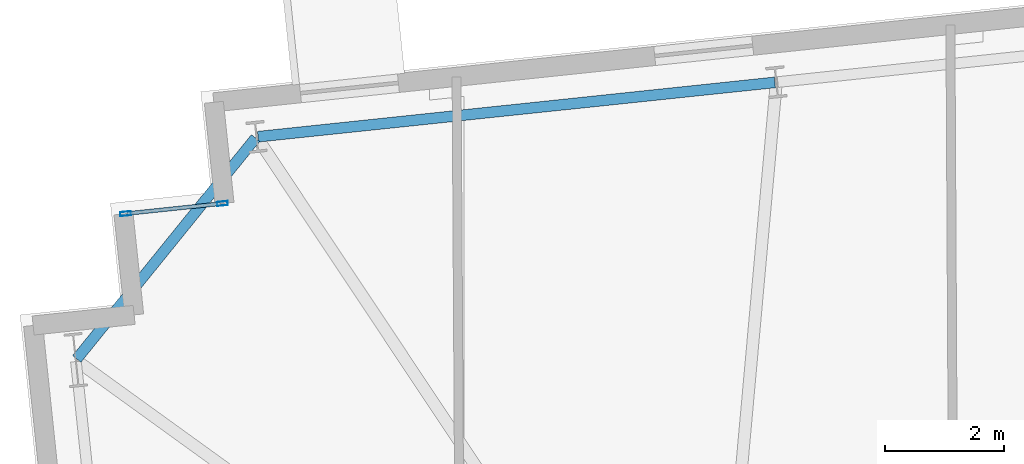
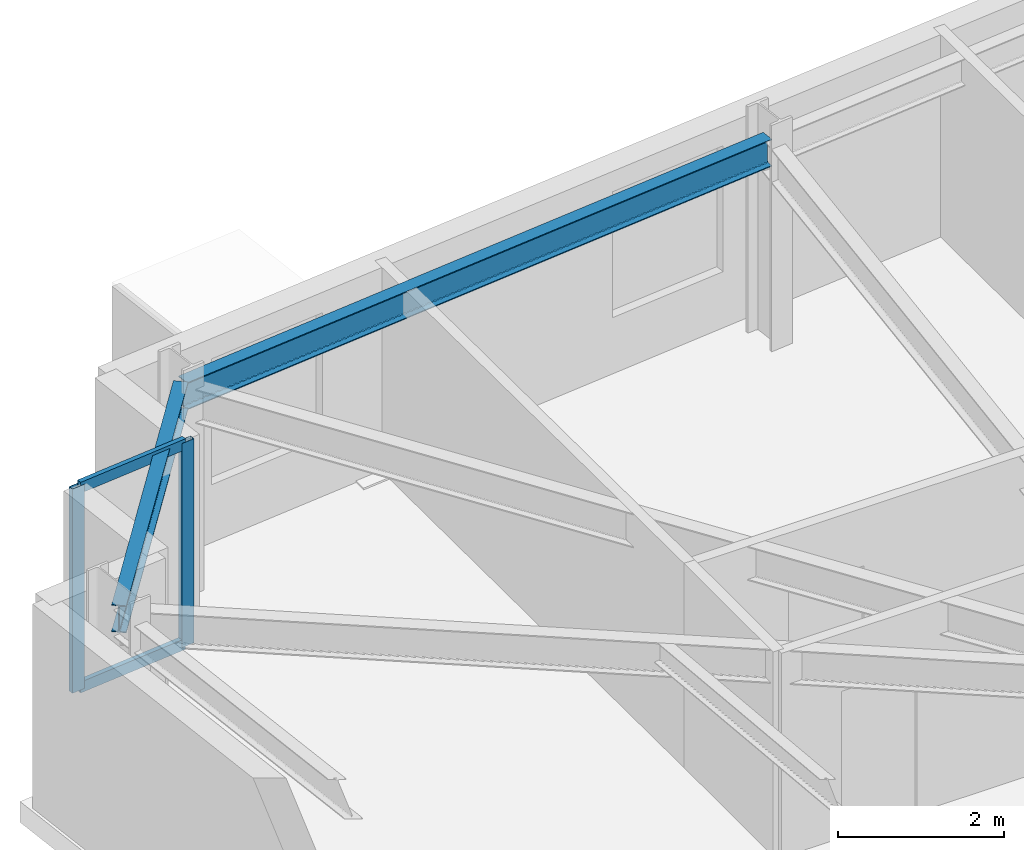
# One storey, part 8 of 19: 4 members, 2 beams, 1 element without a shape of its own.
"""IFC4 building model written with IfcOpenShell, lengths in metres."""

from ifc_helpers import new_model, si_unit, direction, frame, origin, origin_2d, place, context, subcontext, project, spatial, hollow_rectangle, i_section, extrude, material, layer, layer_set, material_profile, profile_set, type_object, element, aggregate, save


model = new_model("IFC4")

# Units and contexts
model_context = context("Model", 3, precision=1e-05, world=origin(), true_north=direction((0.0, 1.0)))
body_context = subcontext(model_context, "Body", "Model", "MODEL_VIEW")
ifc_project = project(units=[si_unit("LENGTHUNIT", "METRE"), si_unit("AREAUNIT", "SQUARE_METRE"), si_unit("VOLUMEUNIT", "CUBIC_METRE"), si_unit("PLANEANGLEUNIT", "RADIAN"), si_unit("MASSUNIT", "GRAM", prefix="KILO")], contexts=[model_context])

# Site, building, storey
site_placement = place(None, origin())
site = spatial("IfcSite", under=ifc_project, at=site_placement, CompositionType="ELEMENT")
building_placement = place(site_placement, origin())
building = spatial("IfcBuilding", under=site, at=building_placement, Name="Qobustan Lattice House", CompositionType="ELEMENT")
storey_placement = place(building_placement, frame((0.0, 0.0, 122.550048828125)))
storey = spatial("IfcBuildingStorey", under=building, at=storey_placement, Name="L34", CompositionType="ELEMENT", Elevation=122.550048828125)

# Beams
ifc_material_1 = material(Name="Steel S355", Category="steel")
ifc_material_profile_1 = material_profile(ifc_material_1, i_section(OverallWidth=0.179931640625, OverallDepth=0.39990234375, WebThickness=0.008544921875, FlangeThickness=0.013427734375, FilletRadius=0.02099609375, at=origin_2d()), Name="IPE400")
ifc_profile_set_1 = profile_set([ifc_material_profile_1], Name="Steel S355")
beam_type = type_object("IfcBeamType", Name="BM-SPD-IPE400", PredefinedType="SPANDREL", material=ifc_profile_set_1)
beam_1_placement = place(storey_placement, frame((-17.7158203125, 17.919189453125, 2.800048828125), z_axis=(-0.994521279781, -0.10453432002, 0.0), x_axis=(0.10453432002, -0.994521279781, 0.0)))
element("IfcBeam", 1, at=beam_1_placement, inside=storey, type_object=beam_type, Name="L34 perimeter spandrel N6-N7", PredefinedType="SPANDREL", context=body_context, shape_type="SweptSolid", body=[
    extrude(i_section(OverallWidth=0.179931640625, OverallDepth=0.39990234375, WebThickness=0.008544921875, FlangeThickness=0.013427734375, FilletRadius=0.02099609375, at=origin_2d()), origin(), (0.0, 0.0, 1.0), 8.69970703125),
])
beam_2_placement = place(storey_placement, frame((-26.40869140625, 16.98779296875, 2.800048828125), z_axis=(-0.629326627121, -0.777140911545, 0.0), x_axis=(0.777140911545, -0.629326627121, 0.0)))
element("IfcBeam", 2, at=beam_2_placement, inside=storey, type_object=beam_type, Name="L34 perimeter spandrel N7-W1", PredefinedType="SPANDREL", context=body_context, shape_type="SweptSolid", body=[
    extrude(i_section(OverallWidth=0.179931640625, OverallDepth=0.39990234375, WebThickness=0.008544921875, FlangeThickness=0.013427734375, FilletRadius=0.02099609375, at=origin_2d()), origin(), (0.0, 0.0, 1.0), 4.758544921875),
])

# Curtain wall, members
ifc_material_2 = material(Name="Anodised aluminium and low-E glazing", Category="aluminium")
ifc_layer = layer(ifc_material_2, 0.219970703125)
ifc_layer_set = layer_set([ifc_layer], Name="Anodised aluminium and low-E glazing")
curtain_wall_type = type_object("IfcCurtainWallType", Name="CW-FAC-01", PredefinedType="USERDEFINED", material=ifc_layer_set)
curtain_wall_placement = place(storey_placement, origin())
curtain_wall = element("IfcCurtainWall", 3, at=curtain_wall_placement, inside=storey, type_object=curtain_wall_type, Name="L34 serrated corner faceted glazing 8", ObjectType="CURTAIN WALL", PredefinedType="USERDEFINED")
ifc_material_3 = material(Name="Anodised aluminium EN AW-6063 T6", Category="aluminium")
ifc_material_profile_2 = material_profile(ifc_material_3, hollow_rectangle(XDim=0.070068359375, YDim=0.179931640625, WallThickness=0.00439453125, at=origin_2d()), Name="CWM-180x70")
ifc_profile_set_2 = profile_set([ifc_material_profile_2], Name="Anodised aluminium EN AW-6063 T6")
member_type_1 = type_object("IfcMemberType", Name="CWM-STD-180", PredefinedType="MULLION", material=ifc_profile_set_2)
member_1_placement = place(storey_placement, frame((-28.58544921875, 15.720947265625, 0.0), z_axis=(0.0, 0.0, 1.0), x_axis=(-0.104528620025, 0.994521878892, 0.0)))
member_1 = element("IfcMember", 4, at=member_1_placement, type_object=member_type_1, Name="CW-F1 mullion 1", PredefinedType="MULLION", context=body_context, shape_type="SweptSolid", body=[
    extrude(hollow_rectangle(XDim=0.070068359375, YDim=0.179931640625, WallThickness=0.00439453125, at=origin_2d()), origin(), (0.0, 0.0, 1.0), 3.0),
])
member_2_placement = place(storey_placement, frame((-26.96435546875, 15.891357421875, 0.0), z_axis=(0.0, 0.0, 1.0), x_axis=(-0.104528620025, 0.994521878892, 0.0)))
member_2 = element("IfcMember", 5, at=member_2_placement, type_object=member_type_1, Name="CW-F1 mullion 2", PredefinedType="MULLION", context=body_context, shape_type="SweptSolid", body=[
    extrude(hollow_rectangle(XDim=0.070068359375, YDim=0.179931640625, WallThickness=0.00439453125, at=origin_2d()), origin(), (0.0, 0.0, 1.0), 3.0),
])
ifc_material_4 = material(Name="Anodised aluminium EN AW-6063 T6", Category="aluminium")
ifc_material_profile_3 = material_profile(ifc_material_4, hollow_rectangle(XDim=0.06494140625, YDim=0.159912109375, WallThickness=0.00390625, at=origin_2d()), Name="CWT-160x65")
ifc_profile_set_3 = profile_set([ifc_material_profile_3], Name="Anodised aluminium EN AW-6063 T6")
member_type_2 = type_object("IfcMemberType", Name="CWT-HOR-160", PredefinedType="USERDEFINED", material=ifc_profile_set_3)
member_3_placement = place(storey_placement, frame((-28.55078125, 15.724609375, 0.032470703125), z_axis=(0.994520877159, 0.104538150424, 0.0), x_axis=(-0.104538150424, 0.994520877159, 0.0)))
member_3 = element("IfcMember", 6, at=member_3_placement, type_object=member_type_2, Name="CW-F1 transom 1.1", ObjectType="TRANSOM", PredefinedType="USERDEFINED", context=body_context, shape_type="SweptSolid", body=[
    extrude(hollow_rectangle(XDim=0.06494140625, YDim=0.159912109375, WallThickness=0.00390625, at=origin_2d()), origin(), (0.0, 0.0, 1.0), 1.56005859375),
])
member_4_placement = place(storey_placement, frame((-28.55078125, 15.724609375, 2.967529296875), z_axis=(0.994520877159, 0.104538150424, 0.0), x_axis=(-0.104538150424, 0.994520877159, 0.0)))
member_4 = element("IfcMember", 7, at=member_4_placement, type_object=member_type_2, Name="CW-F1 transom 1.2", ObjectType="TRANSOM", PredefinedType="USERDEFINED", context=body_context, shape_type="SweptSolid", body=[
    extrude(hollow_rectangle(XDim=0.06494140625, YDim=0.159912109375, WallThickness=0.00390625, at=origin_2d()), origin(), (0.0, 0.0, 1.0), 1.56005859375),
])
aggregate(curtain_wall, [member_1, member_2, member_3, member_4])

save(model, "model.ifc")
